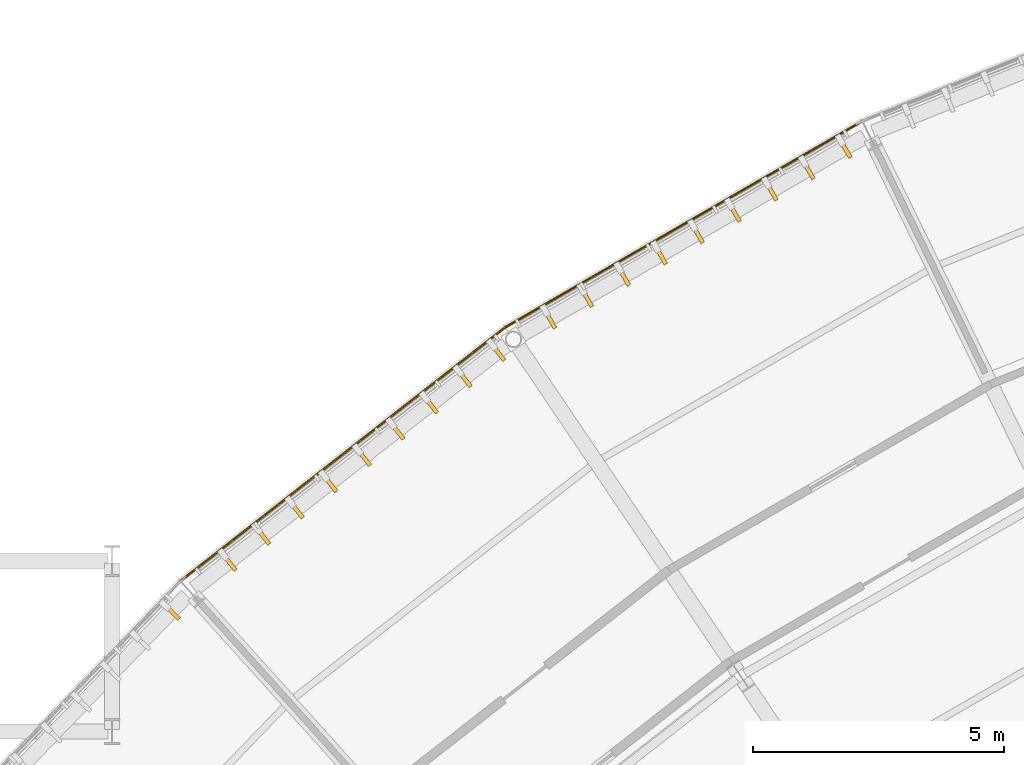
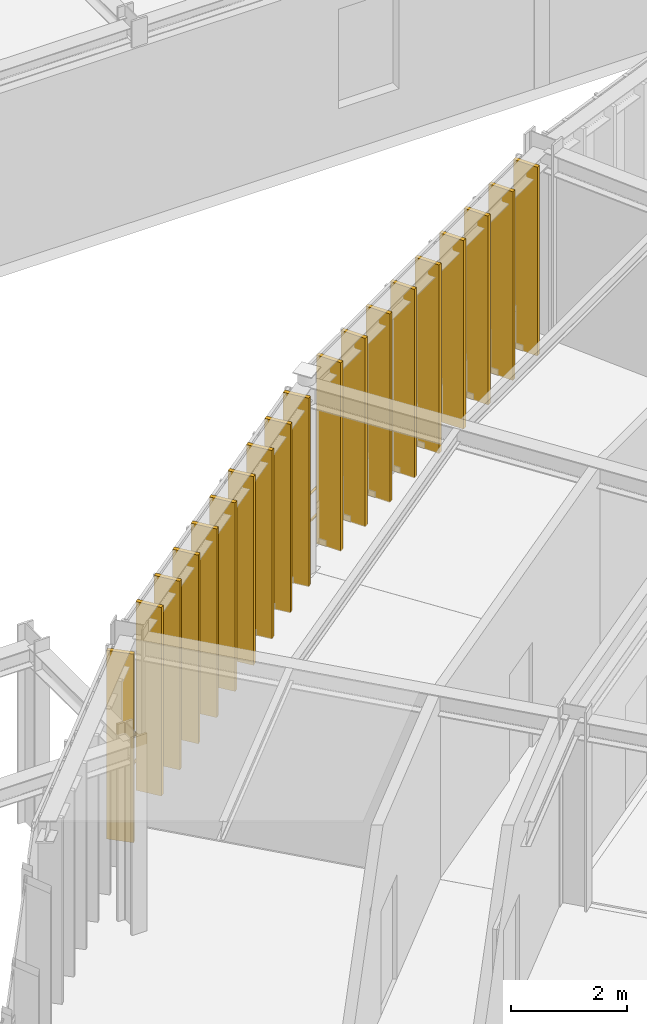
# One storey, part 144 of 148: 19 coverings, 2 railings.
"""IFC4 building model written with IfcOpenShell, lengths in metres."""

from ifc_helpers import new_model, si_unit, direction, frame, origin, origin_2d, place, context, subcontext, project, spatial, rectangle, circle, extrude, material, layer, layer_set, type_object, element, save


model = new_model("IFC4")

# Units and contexts
model_context = context("Model", 3, precision=1e-05, world=origin(), true_north=direction((0.0, 1.0)))
body_context = subcontext(model_context, "Body", "Model", "MODEL_VIEW")
ifc_project = project(units=[si_unit("LENGTHUNIT", "METRE"), si_unit("AREAUNIT", "SQUARE_METRE"), si_unit("VOLUMEUNIT", "CUBIC_METRE"), si_unit("PLANEANGLEUNIT", "RADIAN"), si_unit("MASSUNIT", "GRAM", prefix="KILO"), si_unit("THERMODYNAMICTEMPERATUREUNIT", "KELVIN"), si_unit("POWERUNIT", "WATT")], contexts=[model_context])

# Site, building, storey
site_placement = place(None, origin())
site = spatial("IfcSite", under=ifc_project, at=site_placement, CompositionType="ELEMENT")
building_placement = place(site_placement, origin())
building = spatial("IfcBuilding", under=site, at=building_placement, Name="Solvatero Civic Police Headquarters", CompositionType="ELEMENT")
storey_placement = place(building_placement, frame((0.0, 0.0, 5.10009765625)))
storey = spatial("IfcBuildingStorey", under=building, at=storey_placement, Name="L01", CompositionType="ELEMENT", Elevation=5.10009765625)

# Coverings
ifc_material_1 = material(Name="Anodized Bronze Aluminium", Category="aluminium")
ifc_layer = layer(ifc_material_1, 0.080078125)
ifc_layer_set = layer_set([ifc_layer], Name="Anodized Bronze Aluminium")
covering_type = type_object("IfcCoveringType", Name="COV-FIN-480", PredefinedType="CLADDING", material=ifc_layer_set)
for number, where, z_axis, x_axis, name in (
    (1, (67.803466796875, 78.4560546875, -0.02001953125), (0.0, 0.0, 1.0), (-0.866025403784, -0.5, 0.0), "Vertical Brise-Soleil Fin 0218"),
    (2, (67.0673828125, 78.031005859375, -0.02001953125), (0.0, 0.0, 1.0), (-0.866025403784, -0.5, 0.0), "Vertical Brise-Soleil Fin 0219"),
    (3, (66.331298828125, 77.60595703125, -0.02001953125), (0.0, 0.0, 1.0), (-0.866025403784, -0.5, 0.0), "Vertical Brise-Soleil Fin 0220"),
    (4, (65.594970703125, 77.180908203125, -0.02001953125), (0.0, 0.0, 1.0), (-0.866025403784, -0.5, 0.0), "Vertical Brise-Soleil Fin 0221"),
    (5, (64.85888671875, 76.756103515625, -0.02001953125), (0.0, 0.0, 1.0), (-0.866025403784, -0.5, 0.0), "Vertical Brise-Soleil Fin 0222"),
    (6, (64.122802734375, 76.3310546875, -0.02001953125), (0.0, 0.0, 1.0), (-0.866025403784, -0.5, 0.0), "Vertical Brise-Soleil Fin 0223"),
    (7, (63.38671875, 75.906005859375, -0.02001953125), (0.0, 0.0, 1.0), (-0.866025403784, -0.5, 0.0), "Vertical Brise-Soleil Fin 0224"),
    (8, (62.650634765625, 75.48095703125, -0.02001953125), (0.0, 0.0, 1.0), (-0.866025403784, -0.5, 0.0), "Vertical Brise-Soleil Fin 0225"),
    (9, (61.914306640625, 75.055908203125, -0.02001953125), (0.0, 0.0, 1.0), (-0.866025403784, -0.5, 0.0), "Vertical Brise-Soleil Fin 0226"),
    (10, (60.87451171875, 74.390869140625, -0.02001953125), (0.0, 0.0, 1.0), (-0.788010753607, -0.615661475326, 0.0), "Vertical Brise-Soleil Fin 0234"),
    (11, (60.204833984375, 73.86767578125, -0.02001953125), (0.0, 0.0, 1.0), (-0.788010753607, -0.615661475326, 0.0), "Vertical Brise-Soleil Fin 0235"),
    (12, (59.534912109375, 73.34423828125, -0.02001953125), (0.0, 0.0, 1.0), (-0.788010753607, -0.615661475326, 0.0), "Vertical Brise-Soleil Fin 0236"),
    (13, (58.865234375, 72.821044921875, -0.02001953125), (0.0, 0.0, 1.0), (-0.788010753607, -0.615661475326, 0.0), "Vertical Brise-Soleil Fin 0237"),
    (14, (58.1953125, 72.297607421875, -0.02001953125), (0.0, 0.0, 1.0), (-0.788010753607, -0.615661475326, 0.0), "Vertical Brise-Soleil Fin 0238"),
    (15, (57.525390625, 71.7744140625, -0.02001953125), (0.0, 0.0, 1.0), (-0.788010753607, -0.615661475326, 0.0), "Vertical Brise-Soleil Fin 0239"),
    (16, (56.855712890625, 71.2509765625, -0.02001953125), (0.0, 0.0, 1.0), (-0.788010753607, -0.615661475326, 0.0), "Vertical Brise-Soleil Fin 0240"),
    (17, (56.185791015625, 70.727783203125, -0.02001953125), (0.0, 0.0, 1.0), (-0.788010753607, -0.615661475326, 0.0), "Vertical Brise-Soleil Fin 0241"),
    (18, (55.51611328125, 70.204345703125, -0.02001953125), (0.0, 0.0, 1.0), (-0.788010753607, -0.615661475326, 0.0), "Vertical Brise-Soleil Fin 0242"),
    (19, (54.3662109375, 69.21044921875, -0.02001953125), (0.0, 0.0, 1.0), (-0.694645815505, -0.719351924305, 0.0), "Vertical Brise-Soleil Fin 0250"),
):
    element("IfcCovering", number, at=place(storey_placement, frame(where, z_axis=z_axis, x_axis=x_axis)), inside=storey, type_object=covering_type, Name=name, PredefinedType="CLADDING", context=body_context, shape_type="SweptSolid", body=[
        extrude(rectangle(XDim=0.080078125, YDim=0.47998046875, at=origin_2d()), origin(), (0.0, 0.0, 1.0), 3.97998046875),
    ])

# Railings
ifc_material_2 = material(Name="Anodized Bronze and Laminated Glass", Category="glass")
railing_type = type_object("IfcRailingType", Name="RL-BAL-115", PredefinedType="BALUSTRADE", material=ifc_material_2)
railing_1_placement = place(storey_placement, frame((68.162353515625, 78.974853515625, 0.0)))
element("IfcRailing", 20, at=railing_1_placement, inside=storey, type_object=railing_type, Name="Glazed Facade Sill Balustrade RL-L01-ARCOUT-B05", PredefinedType="BALUSTRADE", context=body_context, shape_type="SweptSolid", body=[
    extrude(circle(Radius=0.02392578125, at=origin_2d()), frame((0.0, 0.0, 1.1259765625), z_axis=(-0.866027366358, -0.499996600708, 0.0), x_axis=(0.499996600708, -0.866027366358, 0.0)), (0.0, 0.0, 1.0), 8.22265625),
    extrude(circle(Radius=0.02392578125, at=origin_2d()), frame((0.0, 0.0, 0.55078125), z_axis=(-0.866027366358, -0.499996600708, 0.0), x_axis=(0.499996600708, -0.866027366358, 0.0)), (0.0, 0.0, 1.0), 8.22265625),
    extrude(circle(Radius=0.02099609375, at=origin_2d()), origin(), (0.0, 0.0, 1.0), 1.101806640625),
    extrude(circle(Radius=0.02099609375, at=origin_2d()), frame((-1.017333984375, -0.58740234375, 0.0)), (0.0, 0.0, 1.0), 1.101806640625),
    extrude(circle(Radius=0.02099609375, at=origin_2d()), frame((-2.03466796875, -1.174560546875, 0.0)), (0.0, 0.0, 1.0), 1.101806640625),
    extrude(circle(Radius=0.02099609375, at=origin_2d()), frame((-3.052001953125, -1.761962890625, 0.0)), (0.0, 0.0, 1.0), 1.101806640625),
    extrude(circle(Radius=0.02099609375, at=origin_2d()), frame((-4.069091796875, -2.349365234375, 0.0)), (0.0, 0.0, 1.0), 1.101806640625),
    extrude(circle(Radius=0.02099609375, at=origin_2d()), frame((-5.08642578125, -2.936767578125, 0.0)), (0.0, 0.0, 1.0), 1.101806640625),
    extrude(circle(Radius=0.02099609375, at=origin_2d()), frame((-6.103759765625, -3.52392578125, 0.0)), (0.0, 0.0, 1.0), 1.101806640625),
    extrude(circle(Radius=0.02099609375, at=origin_2d()), frame((-7.12109375, -4.111328125, 0.0)), (0.0, 0.0, 1.0), 1.101806640625),
])
railing_2_placement = place(storey_placement, frame((61.041259765625, 74.863525390625, 0.0)))
element("IfcRailing", 21, at=railing_2_placement, inside=storey, type_object=railing_type, Name="Glazed Facade Sill Balustrade RL-L01-ARCOUT-B06", PredefinedType="BALUSTRADE", context=body_context, shape_type="SweptSolid", body=[
    extrude(circle(Radius=0.02392578125, at=origin_2d()), frame((0.0, 0.0, 1.1259765625), z_axis=(-0.788023473491, -0.61564519427, 0.0), x_axis=(0.61564519427, -0.788023473491, 0.0)), (0.0, 0.0, 1.0), 8.22314453125),
    extrude(circle(Radius=0.02392578125, at=origin_2d()), frame((0.0, 0.0, 0.55078125), z_axis=(-0.788023473491, -0.61564519427, 0.0), x_axis=(0.61564519427, -0.788023473491, 0.0)), (0.0, 0.0, 1.0), 8.22314453125),
    extrude(circle(Radius=0.02099609375, at=origin_2d()), origin(), (0.0, 0.0, 1.0), 1.101806640625),
    extrude(circle(Radius=0.02099609375, at=origin_2d()), frame((-0.92578125, -0.72314453125, 0.0)), (0.0, 0.0, 1.0), 1.101806640625),
    extrude(circle(Radius=0.02099609375, at=origin_2d()), frame((-1.851318359375, -1.446533203125, 0.0)), (0.0, 0.0, 1.0), 1.101806640625),
    extrude(circle(Radius=0.02099609375, at=origin_2d()), frame((-2.777099609375, -2.169677734375, 0.0)), (0.0, 0.0, 1.0), 1.101806640625),
    extrude(circle(Radius=0.02099609375, at=origin_2d()), frame((-3.702880859375, -2.892822265625, 0.0)), (0.0, 0.0, 1.0), 1.101806640625),
    extrude(circle(Radius=0.02099609375, at=origin_2d()), frame((-4.628662109375, -3.615966796875, 0.0)), (0.0, 0.0, 1.0), 1.101806640625),
    extrude(circle(Radius=0.02099609375, at=origin_2d()), frame((-5.55419921875, -4.33935546875, 0.0)), (0.0, 0.0, 1.0), 1.101806640625),
    extrude(circle(Radius=0.02099609375, at=origin_2d()), frame((-6.47998046875, -5.0625, 0.0)), (0.0, 0.0, 1.0), 1.101806640625),
])

save(model, "model.ifc")
